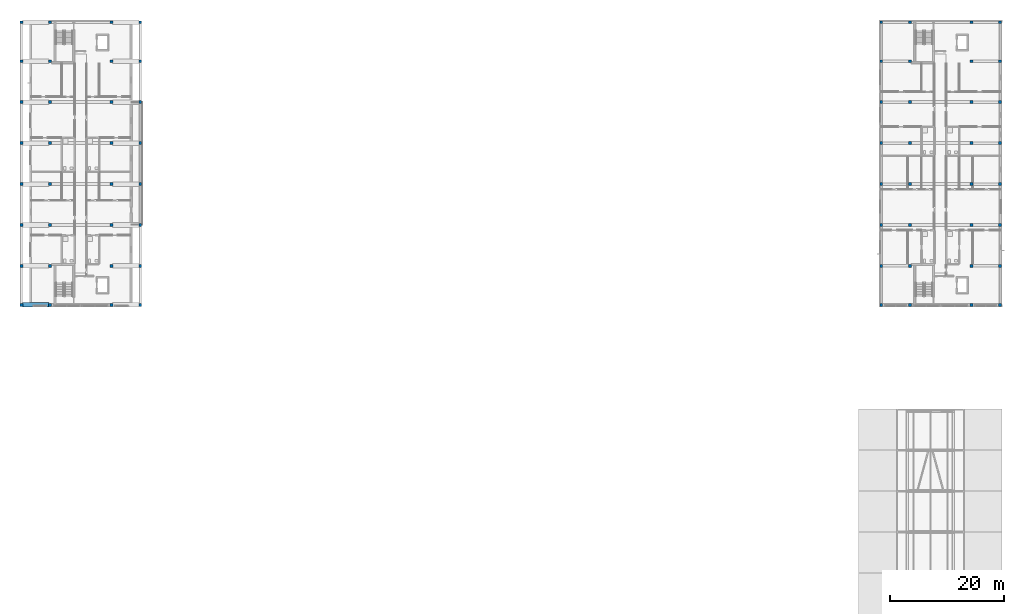
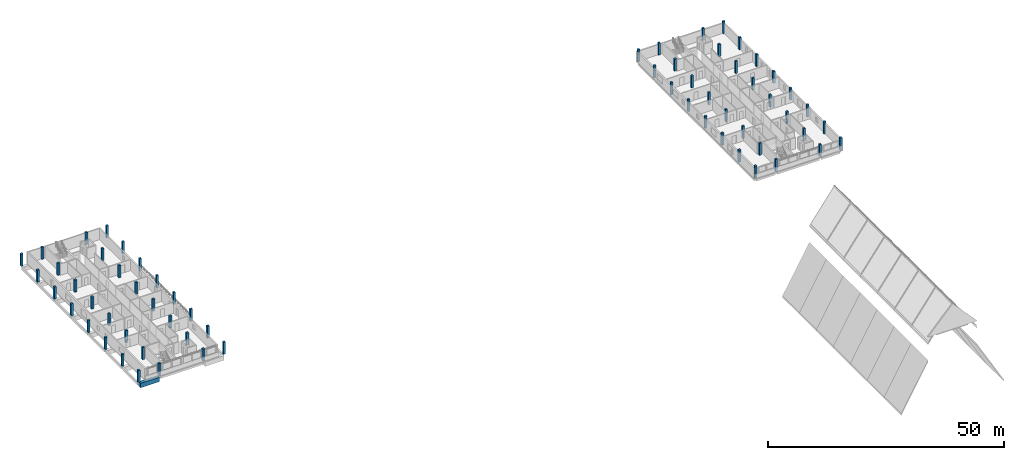
# One storey, part 1 of 29: 64 columns, 1 beam.
"""IFC4 building model written with IfcOpenShell, lengths in metres."""

from ifc_helpers import new_model, si_unit, derived_unit, direction, frame, origin, origin_2d, place, context, subcontext, project, spatial, rectangle, extrude, material, material_profile, profile_set, type_object, element, save


model = new_model("IFC4")

# Units and contexts
model_context = context("Model", 3, precision=1e-05, world=origin(), true_north=direction((0.0, 1.0)))
body_context = subcontext(model_context, "Body", "Model", "MODEL_VIEW")
ifc_project = project(units=[si_unit("LENGTHUNIT", "METRE"), si_unit("AREAUNIT", "SQUARE_METRE"), si_unit("VOLUMEUNIT", "CUBIC_METRE"), si_unit("PLANEANGLEUNIT", "RADIAN"), si_unit("MASSUNIT", "GRAM", prefix="KILO"), derived_unit("THERMALTRANSMITTANCEUNIT", [(si_unit("MASSUNIT", "GRAM", prefix="KILO"), 1), (si_unit("TIMEUNIT", "SECOND"), -3), (si_unit("THERMODYNAMICTEMPERATUREUNIT", "KELVIN"), -1)])], contexts=[model_context])

# Site, building, storey
site_placement = place(None, origin())
site = spatial("IfcSite", under=ifc_project, at=site_placement, CompositionType="ELEMENT")
building_placement = place(site_placement, origin())
building = spatial("IfcBuilding", under=site, at=building_placement, Name="Ochrekiln Boulevard Commons", CompositionType="ELEMENT")
storey_placement = place(building_placement, frame((0.0, 0.0, 37.27490234375)))
storey = spatial("IfcBuildingStorey", under=building, at=storey_placement, Name="L11", CompositionType="ELEMENT", Elevation=37.27490234375)

# Columns
ifc_material_1 = material(Name="Concrete C35/45", Category="concrete")
ifc_material_profile_1 = material_profile(ifc_material_1, rectangle(XDim=0.5, YDim=0.5, at=origin_2d()), Name="RC-COL-500x500")
ifc_profile_set_1 = profile_set([ifc_material_profile_1], Name="Concrete C35/45")
column_type = type_object("IfcColumnType", Name="COL-RC-500", PredefinedType="COLUMN", material=ifc_profile_set_1)
for number, where, z_axis, x_axis, name in (
    (1, (0.35009765625, 68.75, 0.0), (0.0, 0.0, 1.0), (1.0, 0.0, 0.0), "Block A L11 Column C-500 (1)"),
    (2, (0.35009765625, 75.60009765625, 0.0), (0.0, 0.0, 1.0), (1.0, 0.0, 0.0), "Block A L11 Column C-500 (2)"),
    (3, (0.35009765625, 82.800048828125, 0.0), (0.0, 0.0, 1.0), (1.0, 0.0, 0.0), "Block A L11 Column C-500 (3)"),
    (4, (0.35009765625, 90.0, 0.0), (0.0, 0.0, 1.0), (1.0, 0.0, 0.0), "Block A L11 Column C-500 (4)"),
    (5, (0.35009765625, 97.199951171875, 0.0), (0.0, 0.0, 1.0), (1.0, 0.0, 0.0), "Block A L11 Column C-500 (5)"),
    (6, (0.35009765625, 104.39990234375, 0.0), (0.0, 0.0, 1.0), (1.0, 0.0, 0.0), "Block A L11 Column C-500 (6)"),
    (7, (0.35009765625, 111.60009765625, 0.0), (0.0, 0.0, 1.0), (1.0, 0.0, 0.0), "Block A L11 Column C-500 (7)"),
    (8, (0.35009765625, 118.449951171875, 0.0), (0.0, 0.0, 1.0), (1.0, 0.0, 0.0), "Block A L11 Column C-500 (8)"),
    (9, (5.39990234375, 68.75, 0.0), (0.0, 0.0, 1.0), (1.0, 0.0, 0.0), "Block A L11 Column C-500 (9)"),
    (10, (5.39990234375, 75.60009765625, 0.0), (0.0, 0.0, 1.0), (1.0, 0.0, 0.0), "Block A L11 Column C-500 (10)"),
    (11, (5.39990234375, 82.800048828125, 0.0), (0.0, 0.0, 1.0), (1.0, 0.0, 0.0), "Block A L11 Column C-500 (11)"),
    (12, (5.39990234375, 90.0, 0.0), (0.0, 0.0, 1.0), (1.0, 0.0, 0.0), "Block A L11 Column C-500 (12)"),
    (13, (5.39990234375, 97.199951171875, 0.0), (0.0, 0.0, 1.0), (1.0, 0.0, 0.0), "Block A L11 Column C-500 (13)"),
    (14, (5.39990234375, 104.39990234375, 0.0), (0.0, 0.0, 1.0), (1.0, 0.0, 0.0), "Block A L11 Column C-500 (14)"),
    (15, (5.39990234375, 111.60009765625, 0.0), (0.0, 0.0, 1.0), (1.0, 0.0, 0.0), "Block A L11 Column C-500 (15)"),
    (16, (5.39990234375, 118.449951171875, 0.0), (0.0, 0.0, 1.0), (1.0, 0.0, 0.0), "Block A L11 Column C-500 (16)"),
    (17, (16.199951171875, 68.75, 0.0), (0.0, 0.0, 1.0), (1.0, 0.0, 0.0), "Block A L11 Column C-500 (17)"),
    (18, (16.199951171875, 75.60009765625, 0.0), (0.0, 0.0, 1.0), (1.0, 0.0, 0.0), "Block A L11 Column C-500 (18)"),
    (19, (16.199951171875, 82.800048828125, 0.0), (0.0, 0.0, 1.0), (1.0, 0.0, 0.0), "Block A L11 Column C-500 (19)"),
    (20, (16.199951171875, 90.0, 0.0), (0.0, 0.0, 1.0), (1.0, 0.0, 0.0), "Block A L11 Column C-500 (20)"),
    (21, (16.199951171875, 97.199951171875, 0.0), (0.0, 0.0, 1.0), (1.0, 0.0, 0.0), "Block A L11 Column C-500 (21)"),
    (22, (16.199951171875, 104.39990234375, 0.0), (0.0, 0.0, 1.0), (1.0, 0.0, 0.0), "Block A L11 Column C-500 (22)"),
    (23, (16.199951171875, 111.60009765625, 0.0), (0.0, 0.0, 1.0), (1.0, 0.0, 0.0), "Block A L11 Column C-500 (23)"),
    (24, (16.199951171875, 118.449951171875, 0.0), (0.0, 0.0, 1.0), (1.0, 0.0, 0.0), "Block A L11 Column C-500 (24)"),
    (25, (21.25, 68.75, 0.0), (0.0, 0.0, 1.0), (1.0, 0.0, 0.0), "Block A L11 Column C-500 (25)"),
    (26, (21.25, 75.60009765625, 0.0), (0.0, 0.0, 1.0), (1.0, 0.0, 0.0), "Block A L11 Column C-500 (26)"),
    (27, (21.25, 82.800048828125, 0.0), (0.0, 0.0, 1.0), (1.0, 0.0, 0.0), "Block A L11 Column C-500 (27)"),
    (28, (21.25, 90.0, 0.0), (0.0, 0.0, 1.0), (1.0, 0.0, 0.0), "Block A L11 Column C-500 (28)"),
    (29, (21.25, 97.199951171875, 0.0), (0.0, 0.0, 1.0), (1.0, 0.0, 0.0), "Block A L11 Column C-500 (29)"),
    (30, (21.25, 104.39990234375, 0.0), (0.0, 0.0, 1.0), (1.0, 0.0, 0.0), "Block A L11 Column C-500 (30)"),
    (31, (21.25, 111.60009765625, 0.0), (0.0, 0.0, 1.0), (1.0, 0.0, 0.0), "Block A L11 Column C-500 (31)"),
    (32, (21.25, 118.449951171875, 0.0), (0.0, 0.0, 1.0), (1.0, 0.0, 0.0), "Block A L11 Column C-500 (32)"),
    (33, (151.550048828125, 68.75, 0.0), (0.0, 0.0, 1.0), (1.0, 0.0, 0.0), "Block B L11 Column C-500 (1)"),
    (34, (151.550048828125, 75.60009765625, 0.0), (0.0, 0.0, 1.0), (1.0, 0.0, 0.0), "Block B L11 Column C-500 (2)"),
    (35, (151.550048828125, 82.800048828125, 0.0), (0.0, 0.0, 1.0), (1.0, 0.0, 0.0), "Block B L11 Column C-500 (3)"),
    (36, (151.550048828125, 90.0, 0.0), (0.0, 0.0, 1.0), (1.0, 0.0, 0.0), "Block B L11 Column C-500 (4)"),
    (37, (151.550048828125, 97.199951171875, 0.0), (0.0, 0.0, 1.0), (1.0, 0.0, 0.0), "Block B L11 Column C-500 (5)"),
    (38, (151.550048828125, 104.39990234375, 0.0), (0.0, 0.0, 1.0), (1.0, 0.0, 0.0), "Block B L11 Column C-500 (6)"),
    (39, (151.550048828125, 111.60009765625, 0.0), (0.0, 0.0, 1.0), (1.0, 0.0, 0.0), "Block B L11 Column C-500 (7)"),
    (40, (151.550048828125, 118.449951171875, 0.0), (0.0, 0.0, 1.0), (1.0, 0.0, 0.0), "Block B L11 Column C-500 (8)"),
    (41, (156.60009765625, 68.75, 0.0), (0.0, 0.0, 1.0), (1.0, 0.0, 0.0), "Block B L11 Column C-500 (9)"),
    (42, (156.60009765625, 75.60009765625, 0.0), (0.0, 0.0, 1.0), (1.0, 0.0, 0.0), "Block B L11 Column C-500 (10)"),
    (43, (156.60009765625, 82.800048828125, 0.0), (0.0, 0.0, 1.0), (1.0, 0.0, 0.0), "Block B L11 Column C-500 (11)"),
    (44, (156.60009765625, 90.0, 0.0), (0.0, 0.0, 1.0), (1.0, 0.0, 0.0), "Block B L11 Column C-500 (12)"),
    (45, (156.60009765625, 97.199951171875, 0.0), (0.0, 0.0, 1.0), (1.0, 0.0, 0.0), "Block B L11 Column C-500 (13)"),
    (46, (156.60009765625, 104.39990234375, 0.0), (0.0, 0.0, 1.0), (1.0, 0.0, 0.0), "Block B L11 Column C-500 (14)"),
    (47, (156.60009765625, 111.60009765625, 0.0), (0.0, 0.0, 1.0), (1.0, 0.0, 0.0), "Block B L11 Column C-500 (15)"),
    (48, (156.60009765625, 118.449951171875, 0.0), (0.0, 0.0, 1.0), (1.0, 0.0, 0.0), "Block B L11 Column C-500 (16)"),
    (49, (167.39990234375, 68.75, 0.0), (0.0, 0.0, 1.0), (1.0, 0.0, 0.0), "Block B L11 Column C-500 (17)"),
    (50, (167.39990234375, 75.60009765625, 0.0), (0.0, 0.0, 1.0), (1.0, 0.0, 0.0), "Block B L11 Column C-500 (18)"),
    (51, (167.39990234375, 82.800048828125, 0.0), (0.0, 0.0, 1.0), (1.0, 0.0, 0.0), "Block B L11 Column C-500 (19)"),
    (52, (167.39990234375, 90.0, 0.0), (0.0, 0.0, 1.0), (1.0, 0.0, 0.0), "Block B L11 Column C-500 (20)"),
    (53, (167.39990234375, 97.199951171875, 0.0), (0.0, 0.0, 1.0), (1.0, 0.0, 0.0), "Block B L11 Column C-500 (21)"),
    (54, (167.39990234375, 104.39990234375, 0.0), (0.0, 0.0, 1.0), (1.0, 0.0, 0.0), "Block B L11 Column C-500 (22)"),
    (55, (167.39990234375, 111.60009765625, 0.0), (0.0, 0.0, 1.0), (1.0, 0.0, 0.0), "Block B L11 Column C-500 (23)"),
    (56, (167.39990234375, 118.449951171875, 0.0), (0.0, 0.0, 1.0), (1.0, 0.0, 0.0), "Block B L11 Column C-500 (24)"),
    (57, (172.449951171875, 68.75, 0.0), (0.0, 0.0, 1.0), (1.0, 0.0, 0.0), "Block B L11 Column C-500 (25)"),
    (58, (172.449951171875, 75.60009765625, 0.0), (0.0, 0.0, 1.0), (1.0, 0.0, 0.0), "Block B L11 Column C-500 (26)"),
    (59, (172.449951171875, 82.800048828125, 0.0), (0.0, 0.0, 1.0), (1.0, 0.0, 0.0), "Block B L11 Column C-500 (27)"),
    (60, (172.449951171875, 90.0, 0.0), (0.0, 0.0, 1.0), (1.0, 0.0, 0.0), "Block B L11 Column C-500 (28)"),
    (61, (172.449951171875, 97.199951171875, 0.0), (0.0, 0.0, 1.0), (1.0, 0.0, 0.0), "Block B L11 Column C-500 (29)"),
    (62, (172.449951171875, 104.39990234375, 0.0), (0.0, 0.0, 1.0), (1.0, 0.0, 0.0), "Block B L11 Column C-500 (30)"),
    (63, (172.449951171875, 111.60009765625, 0.0), (0.0, 0.0, 1.0), (1.0, 0.0, 0.0), "Block B L11 Column C-500 (31)"),
    (64, (172.449951171875, 118.449951171875, 0.0), (0.0, 0.0, 1.0), (1.0, 0.0, 0.0), "Block B L11 Column C-500 (32)"),
):
    element("IfcColumn", number, at=place(storey_placement, frame(where, z_axis=z_axis, x_axis=x_axis)), inside=storey, type_object=column_type, Name=name, PredefinedType="COLUMN", context=body_context, shape_type="SweptSolid", body=[
        extrude(rectangle(XDim=0.5, YDim=0.5, at=origin_2d()), origin(), (0.0, 0.0, 1.0), 3.150146484375),
    ])

# Beam
ifc_material_2 = material(Name="Concrete C40/50", Category="concrete")
ifc_material_profile_2 = material_profile(ifc_material_2, rectangle(XDim=0.800048828125, YDim=1.14990234375, at=origin_2d()), Name="RC-TRG-800x1150")
ifc_profile_set_2 = profile_set([ifc_material_profile_2], Name="Concrete C40/50")
beam_type = type_object("IfcBeamType", Name="BM-TRG-800x1150", PredefinedType="BEAM", material=ifc_profile_set_2)
beam_placement = place(storey_placement, frame((0.56005859375, 68.75, -0.8349609375), z_axis=(1.0, 0.0, 0.0), x_axis=(0.0, 1.0, 0.0)))
element("IfcBeam", 65, at=beam_placement, inside=storey, type_object=beam_type, Name="Block A L11 Beam TG-01 X1", PredefinedType="BEAM", context=body_context, shape_type="SweptSolid", body=[
    extrude(rectangle(XDim=0.800048828125, YDim=1.14990234375, at=origin_2d()), origin(), (0.0, 0.0, 1.0), 4.6298828125),
])

save(model, "model.ifc")
